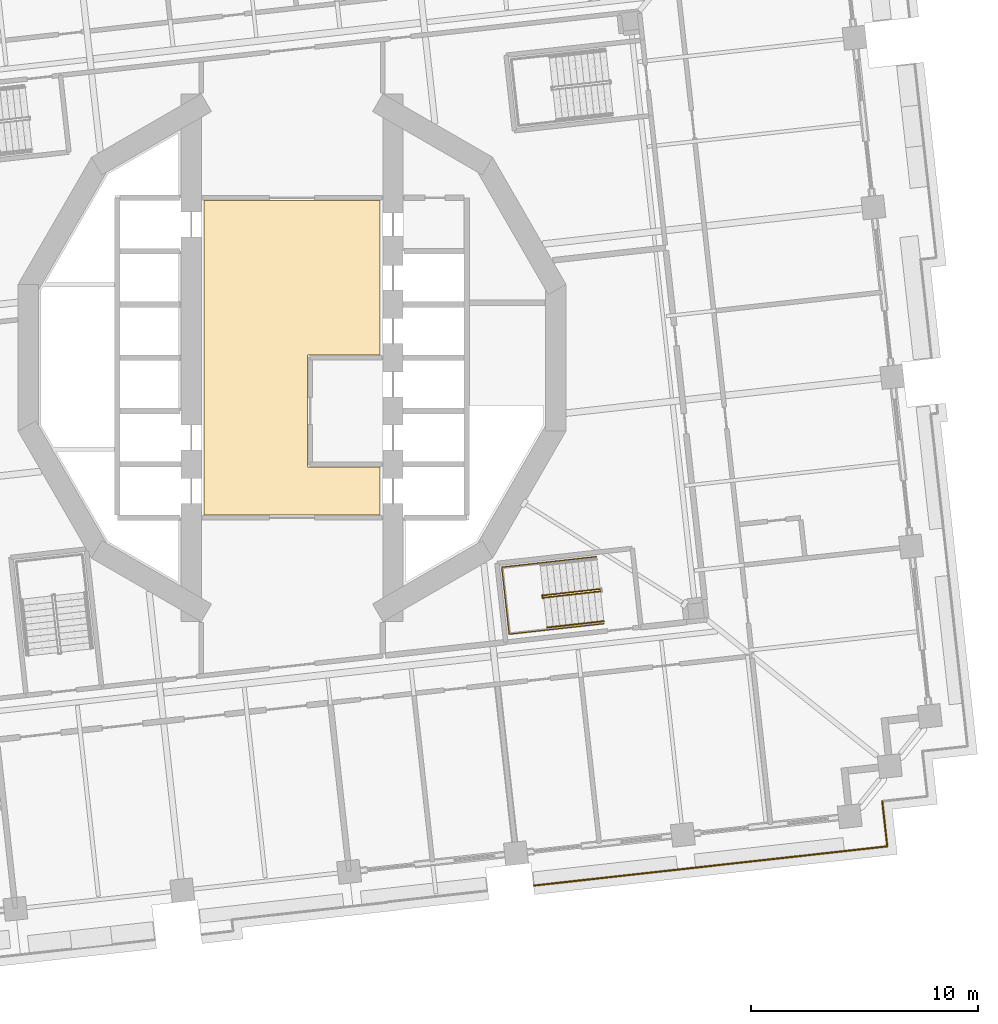
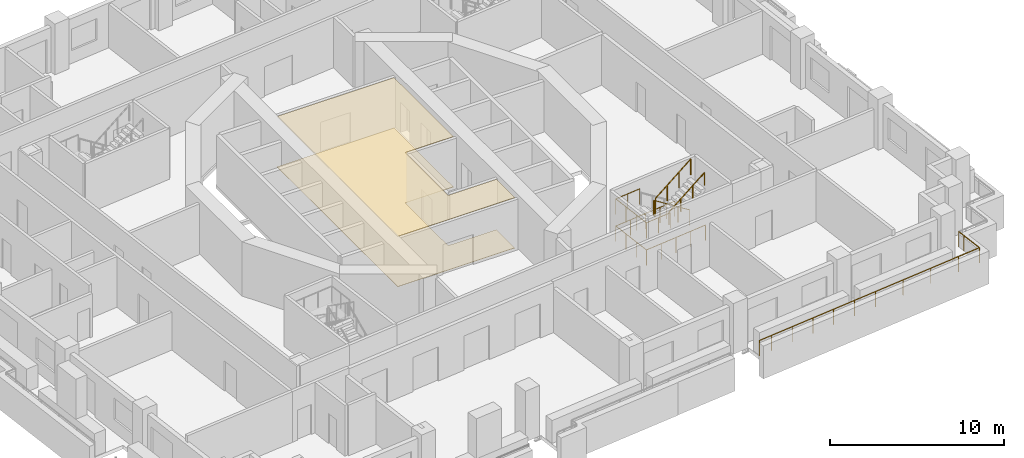
# One storey, part 13 of 18: 6 railings, 2 coverings.
"""IFC4 building model written with IfcOpenShell, lengths in metres."""

from ifc_helpers import new_model, si_unit, direction, frame, origin, origin_2d, place, context, subcontext, project, spatial, polyline, circle, outline, extrude, material, layer, layer_set, type_object, element, save


model = new_model("IFC4")

# Units and contexts
model_context = context("Model", 3, precision=1e-05, world=origin(), true_north=direction((0.0, 1.0)))
body_context = subcontext(model_context, "Body", "Model", "MODEL_VIEW")
ifc_project = project(units=[si_unit("LENGTHUNIT", "METRE"), si_unit("AREAUNIT", "SQUARE_METRE"), si_unit("VOLUMEUNIT", "CUBIC_METRE"), si_unit("PLANEANGLEUNIT", "RADIAN"), si_unit("MASSUNIT", "GRAM", prefix="KILO")], contexts=[model_context])

# Site, building, storey
site_placement = place(None, origin())
site = spatial("IfcSite", under=ifc_project, at=site_placement, CompositionType="ELEMENT")
building_placement = place(site_placement, origin())
building = spatial("IfcBuilding", under=site, at=building_placement, Name="Cantera Rosa Tower", CompositionType="ELEMENT")
storey_placement = place(building_placement, frame((0.0, 0.0, 76.699951171875)))
storey = spatial("IfcBuildingStorey", under=building, at=storey_placement, Name="L16", CompositionType="ELEMENT", Elevation=76.699951171875)

# Railings
ifc_material_1 = material(Name="Stainless steel and laminated glass", Category="steel")
railing_type_1 = type_object("IfcRailingType", Name="GUARD 1100", PredefinedType="BALUSTRADE", material=ifc_material_1)
railing_1_placement = place(storey_placement, frame((26.015380859375, -19.549560546875, 0.0)))
element("IfcRailing", 1, at=railing_1_placement, inside=storey, type_object=railing_type_1, Name="GUARD L16-7", PredefinedType="BALUSTRADE", context=body_context, shape_type="SweptSolid", body=[
    extrude(circle(Radius=0.030029296875, at=origin_2d()), frame((0.0, 0.0, 1.070068359375), z_axis=(0.110377921269, -0.9938896893, 0.0), x_axis=(0.9938896893, 0.110377921269, 0.0)), (0.0, 0.0, 1.0), 0.5),
    extrude(circle(Radius=0.030029296875, at=origin_2d()), frame((0.05517578125, -0.496826171875, 1.070068359375), z_axis=(0.110181444005, -0.99391148972, 0.0), x_axis=(0.99391148972, 0.110181444005, 0.0)), (0.0, 0.0, 1.0), 1.5),
    extrude(circle(Radius=0.030029296875, at=origin_2d()), frame((0.220458984375, -1.98779296875, 1.070068359375), z_axis=(-0.993909513469, -0.110199269672, 0.0), x_axis=(0.110199269672, -0.993909513469, 0.0)), (0.0, 0.0, 1.0), 1.499755859375),
    extrude(circle(Radius=0.030029296875, at=origin_2d()), frame((-1.270263671875, -2.153076171875, 1.070068359375), z_axis=(-0.993896343916, -0.1103179838, 0.0), x_axis=(0.1103179838, -0.993896343916, 0.0)), (0.0, 0.0, 1.0), 5.900146484375),
    extrude(circle(Radius=0.030029296875, at=origin_2d()), frame((-7.13427734375, -2.803955078125, 1.070068359375), z_axis=(-0.993892663362, -0.110351138256, 0.0), x_axis=(0.110351138256, -0.993892663362, 0.0)), (0.0, 0.0, 1.0), 3.0),
    extrude(circle(Radius=0.030029296875, at=origin_2d()), frame((-10.115966796875, -3.135009765625, 1.070068359375), z_axis=(-0.993897260817, -0.110309722784, 0.0), x_axis=(0.110309722784, -0.993897260817, 0.0)), (0.0, 0.0, 1.0), 4.39990234375),
    extrude(circle(Radius=0.030029296875, at=origin_2d()), frame((-14.489013671875, -3.620361328125, 1.070068359375), z_axis=(-0.993900832769, -0.110277534522, 0.0), x_axis=(0.110277534522, -0.993900832769, 0.0)), (0.0, 0.0, 1.0), 0.8701171875),
    extrude(circle(Radius=0.02490234375, at=origin_2d()), origin(), (0.0, 0.0, 1.0), 1.0400390625),
    extrude(circle(Radius=0.02490234375, at=origin_2d()), frame((0.05517578125, -0.496826171875, 0.0)), (0.0, 0.0, 1.0), 1.0400390625),
    extrude(circle(Radius=0.02490234375, at=origin_2d()), frame((0.220458984375, -1.98779296875, 0.0)), (0.0, 0.0, 1.0), 1.0400390625),
    extrude(circle(Radius=0.02490234375, at=origin_2d()), frame((-1.270263671875, -2.153076171875, 0.0)), (0.0, 0.0, 1.0), 1.0400390625),
    extrude(circle(Radius=0.02490234375, at=origin_2d()), frame((-3.224853515625, -2.3701171875, 0.0)), (0.0, 0.0, 1.0), 1.0400390625),
    extrude(circle(Radius=0.02490234375, at=origin_2d()), frame((-5.1796875, -2.5869140625, 0.0)), (0.0, 0.0, 1.0), 1.0400390625),
    extrude(circle(Radius=0.02490234375, at=origin_2d()), frame((-7.13427734375, -2.803955078125, 0.0)), (0.0, 0.0, 1.0), 1.0400390625),
    extrude(circle(Radius=0.02490234375, at=origin_2d()), frame((-8.625, -2.969482421875, 0.0)), (0.0, 0.0, 1.0), 1.0400390625),
    extrude(circle(Radius=0.02490234375, at=origin_2d()), frame((-10.115966796875, -3.135009765625, 0.0)), (0.0, 0.0, 1.0), 1.0400390625),
    extrude(circle(Radius=0.02490234375, at=origin_2d()), frame((-11.57373046875, -3.296875, 0.0)), (0.0, 0.0, 1.0), 1.0400390625),
    extrude(circle(Radius=0.02490234375, at=origin_2d()), frame((-13.03125, -3.45849609375, 0.0)), (0.0, 0.0, 1.0), 1.0400390625),
    extrude(circle(Radius=0.02490234375, at=origin_2d()), frame((-14.489013671875, -3.620361328125, 0.0)), (0.0, 0.0, 1.0), 1.0400390625),
    extrude(circle(Radius=0.02490234375, at=origin_2d()), frame((-15.353759765625, -3.71630859375, 0.0)), (0.0, 0.0, 1.0), 1.0400390625),
])
ifc_material_2 = material(Name="Steel S355J2 (EN 10025-2)", Category="steel")
railing_type_2 = type_object("IfcRailingType", Name="STAIR GUARD 1100", PredefinedType="GUARDRAIL", material=ifc_material_2)
railing_2_placement = place(storey_placement, frame((13.5859375, -10.19677734375, 0.18994140625)))
element("IfcRailing", 2, at=railing_2_placement, inside=storey, type_object=railing_type_2, Name="L16 ST-14 stair guard 1", PredefinedType="GUARDRAIL", context=body_context, shape_type="SweptSolid", body=[
    extrude(circle(Radius=0.02392578125, at=origin_2d()), frame((0.0, 0.0, 1.076171875), z_axis=(-0.822368368775, -0.091311909927, 0.561580271327), x_axis=(0.110357086308, -0.993892002937, 0.0)), (0.0, 0.0, 1.0), 3.04541015625),
    extrude(circle(Radius=0.02392578125, at=origin_2d()), frame((-2.50439453125, -0.278076171875, 2.7861328125), z_axis=(-0.933456941688, 0.358689472963, 0.0), x_axis=(-0.358689472963, -0.933456941688, 0.0)), (0.0, 0.0, 1.0), 0.056396484375),
    extrude(circle(Radius=0.02392578125, at=origin_2d()), frame((-2.55712890625, -0.2578125, 2.7861328125), z_axis=(0.110789159685, -0.993843932464, 0.0), x_axis=(0.993843932464, 0.110789159685, 0.0)), (0.0, 0.0, 1.0), 0.14990234375),
    extrude(circle(Radius=0.02099609375, at=origin_2d()), origin(), (0.0, 0.0, 1.0), 1.052001953125),
    extrude(circle(Radius=0.02099609375, at=origin_2d()), frame((-0.834716796875, -0.0927734375, 0.570068359375)), (0.0, 0.0, 1.0), 1.052001953125),
    extrude(circle(Radius=0.02099609375, at=origin_2d()), frame((-1.669677734375, -0.185302734375, 1.14013671875)), (0.0, 0.0, 1.0), 1.052001953125),
    extrude(circle(Radius=0.02099609375, at=origin_2d()), frame((-2.50439453125, -0.278076171875, 1.710205078125)), (0.0, 0.0, 1.0), 1.052001953125),
    extrude(circle(Radius=0.02099609375, at=origin_2d()), frame((-2.55712890625, -0.2578125, 1.710205078125)), (0.0, 0.0, 1.0), 1.052001953125),
    extrude(circle(Radius=0.02099609375, at=origin_2d()), frame((-2.54052734375, -0.40673828125, 1.710205078125)), (0.0, 0.0, 1.0), 1.052001953125),
])
railing_3_placement = place(storey_placement, frame((11.09228515625, -10.572265625, 2.090087890625)))
element("IfcRailing", 3, at=railing_3_placement, inside=storey, type_object=railing_type_2, Name="L16 ST-14 stair guard 2", PredefinedType="GUARDRAIL", context=body_context, shape_type="SweptSolid", body=[
    extrude(circle(Radius=0.02392578125, at=origin_2d()), frame((0.0, 0.0, 1.076171875), z_axis=(0.822431337597, 0.091310000343, 0.561488360321), x_axis=(-0.110346460196, 0.993893182753, 0.0)), (0.0, 0.0, 1.0), 3.04541015625),
    extrude(circle(Radius=0.02099609375, at=origin_2d()), origin(), (0.0, 0.0, 1.0), 1.052001953125),
    extrude(circle(Radius=0.02099609375, at=origin_2d()), frame((0.8349609375, 0.0927734375, 0.570068359375)), (0.0, 0.0, 1.0), 1.052001953125),
    extrude(circle(Radius=0.02099609375, at=origin_2d()), frame((1.669677734375, 0.185302734375, 1.139892578125)), (0.0, 0.0, 1.0), 1.052001953125),
    extrude(circle(Radius=0.02099609375, at=origin_2d()), frame((2.504638671875, 0.278076171875, 1.7099609375)), (0.0, 0.0, 1.0), 1.052001953125),
])
railing_4_placement = place(storey_placement, frame((13.415771484375, -8.77099609375, 0.0)))
element("IfcRailing", 4, at=railing_4_placement, inside=storey, type_object=railing_type_2, Name="L16 ST-14 stair guard 4", PredefinedType="GUARDRAIL", context=body_context, shape_type="SweptSolid", body=[
    extrude(circle(Radius=0.02392578125, at=origin_2d()), frame((0.0, 0.0, 1.076171875), z_axis=(-0.9938957856, -0.110323013767, 0.0), x_axis=(0.110323013767, -0.9938957856, 0.0)), (0.0, 0.0, 1.0), 4.197998046875),
    extrude(circle(Radius=0.02392578125, at=origin_2d()), frame((-4.17236328125, -0.463134765625, 1.076171875), z_axis=(0.110314237986, -0.993896759678, 0.0), x_axis=(0.993896759678, 0.110314237986, 0.0)), (0.0, 0.0, 1.0), 2.969970703125),
    extrude(circle(Radius=0.02392578125, at=origin_2d()), frame((-3.8447265625, -3.4150390625, 1.076171875), z_axis=(0.9938957856, 0.110323013767, 0.0), x_axis=(-0.110323013767, 0.9938957856, 0.0)), (0.0, 0.0, 1.0), 4.197998046875),
    extrude(circle(Radius=0.02099609375, at=origin_2d()), origin(), (0.0, 0.0, 1.0), 1.052001953125),
    extrude(circle(Radius=0.02099609375, at=origin_2d()), frame((-1.04296875, -0.11572265625, 0.0)), (0.0, 0.0, 1.0), 1.052001953125),
    extrude(circle(Radius=0.02099609375, at=origin_2d()), frame((-2.086181640625, -0.2314453125, 0.0)), (0.0, 0.0, 1.0), 1.052001953125),
    extrude(circle(Radius=0.02099609375, at=origin_2d()), frame((-3.12939453125, -0.347412109375, 0.0)), (0.0, 0.0, 1.0), 1.052001953125),
    extrude(circle(Radius=0.02099609375, at=origin_2d()), frame((-4.17236328125, -0.463134765625, 0.0)), (0.0, 0.0, 1.0), 1.052001953125),
    extrude(circle(Radius=0.02099609375, at=origin_2d()), frame((-4.063232421875, -1.447021484375, 0.0)), (0.0, 0.0, 1.0), 1.052001953125),
    extrude(circle(Radius=0.02099609375, at=origin_2d()), frame((-3.953857421875, -2.43115234375, 0.0)), (0.0, 0.0, 1.0), 1.052001953125),
    extrude(circle(Radius=0.02099609375, at=origin_2d()), frame((-3.8447265625, -3.4150390625, 0.0)), (0.0, 0.0, 1.0), 1.052001953125),
    extrude(circle(Radius=0.02099609375, at=origin_2d()), frame((-2.8017578125, -3.29931640625, 0.0)), (0.0, 0.0, 1.0), 1.052001953125),
    extrude(circle(Radius=0.02099609375, at=origin_2d()), frame((-1.758544921875, -3.18359375, 0.0)), (0.0, 0.0, 1.0), 1.052001953125),
    extrude(circle(Radius=0.02099609375, at=origin_2d()), frame((-0.71533203125, -3.067626953125, 0.0)), (0.0, 0.0, 1.0), 1.052001953125),
    extrude(circle(Radius=0.02099609375, at=origin_2d()), frame((0.32763671875, -2.951904296875, 0.0)), (0.0, 0.0, 1.0), 1.052001953125),
])
railing_5_placement = place(storey_placement, frame((10.93505859375, -9.04638671875, 1.900146484375)))
element("IfcRailing", 5, at=railing_5_placement, inside=storey, type_object=railing_type_2, Name="L16 ST-14 stair guard 5", PredefinedType="GUARDRAIL", context=body_context, shape_type="SweptSolid", body=[
    extrude(circle(Radius=0.02392578125, at=origin_2d()), frame((0.0, 0.0, 1.076171875), z_axis=(-0.993897720867, -0.110305577623, 0.0), x_axis=(0.110305577623, -0.993897720867, 0.0)), (0.0, 0.0, 1.0), 1.7021484375),
    extrude(circle(Radius=0.02392578125, at=origin_2d()), frame((-1.691650390625, -0.187744140625, 1.076171875), z_axis=(0.110314237986, -0.993896759678, 0.0), x_axis=(0.993896759678, 0.110314237986, 0.0)), (0.0, 0.0, 1.0), 2.969970703125),
    extrude(circle(Radius=0.02392578125, at=origin_2d()), frame((-1.364013671875, -3.1396484375, 1.076171875), z_axis=(0.993881985305, 0.110447269257, 0.0), x_axis=(-0.110447269257, 0.993881985305, 0.0)), (0.0, 0.0, 1.0), 1.7021484375),
    extrude(circle(Radius=0.02099609375, at=origin_2d()), origin(), (0.0, 0.0, 1.0), 1.052001953125),
    extrude(circle(Radius=0.02099609375, at=origin_2d()), frame((-0.845703125, -0.09375, 0.0)), (0.0, 0.0, 1.0), 1.052001953125),
    extrude(circle(Radius=0.02099609375, at=origin_2d()), frame((-1.691650390625, -0.187744140625, 0.0)), (0.0, 0.0, 1.0), 1.052001953125),
    extrude(circle(Radius=0.02099609375, at=origin_2d()), frame((-1.58251953125, -1.171630859375, 0.0)), (0.0, 0.0, 1.0), 1.052001953125),
    extrude(circle(Radius=0.02099609375, at=origin_2d()), frame((-1.47314453125, -2.15576171875, 0.0)), (0.0, 0.0, 1.0), 1.052001953125),
    extrude(circle(Radius=0.02099609375, at=origin_2d()), frame((-1.364013671875, -3.1396484375, 0.0)), (0.0, 0.0, 1.0), 1.052001953125),
    extrude(circle(Radius=0.02099609375, at=origin_2d()), frame((-0.51806640625, -3.045654296875, 0.0)), (0.0, 0.0, 1.0), 1.052001953125),
    extrude(circle(Radius=0.02099609375, at=origin_2d()), frame((0.32763671875, -2.95166015625, 0.0)), (0.0, 0.0, 1.0), 1.052001953125),
])
ifc_material_3 = material(Name="Steel S355J2 (EN 10025-2)", Category="steel")
railing_type_3 = type_object("IfcRailingType", Name="STAIR HANDRAIL 900", PredefinedType="HANDRAIL", material=ifc_material_3)
railing_6_placement = place(storey_placement, frame((11.238525390625, -11.89013671875, 2.090087890625)))
element("IfcRailing", 6, at=railing_6_placement, inside=storey, type_object=railing_type_3, Name="L16 ST-14 stair handrail 2", PredefinedType="HANDRAIL", context=body_context, shape_type="SweptSolid", body=[
    extrude(circle(Radius=0.02392578125, at=origin_2d()), frame((0.0, 0.0, 0.8759765625), z_axis=(0.822431337597, 0.091310000343, 0.561488360321), x_axis=(-0.110346460196, 0.993893182753, 0.0)), (0.0, 0.0, 1.0), 3.04541015625),
    extrude(circle(Radius=0.02099609375, at=origin_2d()), origin(), (0.0, 0.0, 1.0), 0.851806640625),
    extrude(circle(Radius=0.02099609375, at=origin_2d()), frame((0.8349609375, 0.0927734375, 0.570068359375)), (0.0, 0.0, 1.0), 0.851806640625),
    extrude(circle(Radius=0.02099609375, at=origin_2d()), frame((1.669677734375, 0.185302734375, 1.139892578125)), (0.0, 0.0, 1.0), 0.851806640625),
    extrude(circle(Radius=0.02099609375, at=origin_2d()), frame((2.504638671875, 0.278076171875, 1.7099609375)), (0.0, 0.0, 1.0), 0.851806640625),
])

# Coverings
ifc_material_4 = material(Name="Limestone paving", Category="masonry")
ifc_layer_1 = layer(ifc_material_4, 0.02490234375)
ifc_layer_set_1 = layer_set([ifc_layer_1], Name="STONE FLOOR FINISH 25")
covering_type_1 = type_object("IfcCoveringType", Name="STONE FLOOR FINISH 25", PredefinedType="FLOORING", material=ifc_layer_set_1)
covering_1_placement = place(storey_placement, origin())
element("IfcCovering", 7, at=covering_1_placement, inside=storey, type_object=covering_type_1, Name="STONE FLOOR FINISH L16", PredefinedType="FLOORING", context=body_context, shape_type="SweptSolid", body=[
    extrude(outline(polyline([(3.8798828125, 6.929931640625), (3.8798828125, 0.1201171875), (0.679931640625, 0.1201171875), (0.679931640625, -4.820068359375), (3.8798828125, -4.820068359375), (3.8798828125, -6.929931640625), (-3.8798828125, -6.929931640625), (-3.8798828125, 6.929931640625), (3.8798828125, 6.929931640625)])), origin(), (0.0, 0.0, 1.0), 0.025146484375),
])
ifc_material_5 = material(Name="Gypsum ceiling tile")
ifc_layer_2 = layer(ifc_material_5, 0.030029296875)
ifc_layer_set_2 = layer_set([ifc_layer_2], Name="SUSPENDED CEILING 30")
covering_type_2 = type_object("IfcCoveringType", Name="SUSPENDED CEILING 30", PredefinedType="CEILING", material=ifc_layer_set_2)
covering_2_placement = place(storey_placement, frame((0.0, 0.0, 3.52001953125)))
element("IfcCovering", 8, at=covering_2_placement, inside=storey, type_object=covering_type_2, Name="SUSPENDED CEILING L16", PredefinedType="CEILING", context=body_context, shape_type="SweptSolid", body=[
    extrude(outline(polyline([(3.8798828125, 6.929931640625), (3.8798828125, 0.1201171875), (0.679931640625, 0.1201171875), (0.679931640625, -4.820068359375), (3.8798828125, -4.820068359375), (3.8798828125, -6.929931640625), (-3.8798828125, -6.929931640625), (-3.8798828125, 6.929931640625), (3.8798828125, 6.929931640625)])), origin(), (0.0, 0.0, 1.0), 0.030029296875),
])

save(model, "model.ifc")
